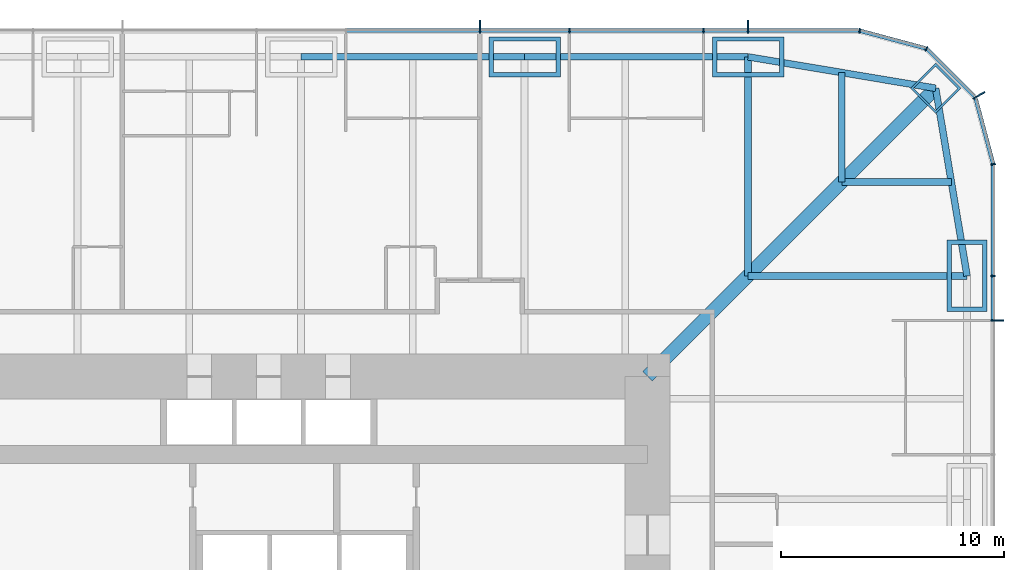
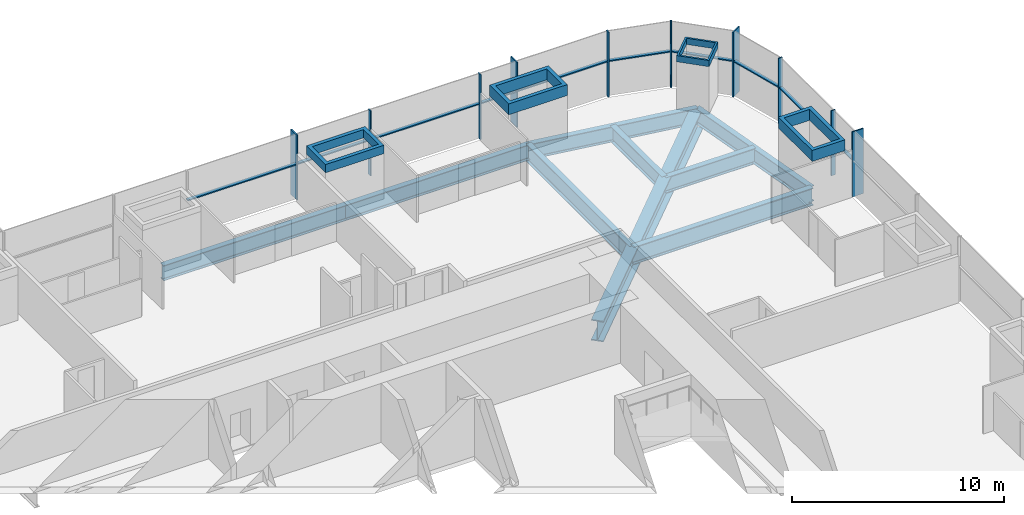
# One storey, part 9 of 17: 24 members, 9 beams, 3 elements without a shape of their own.
"""IFC4 building model written with IfcOpenShell, lengths in metres."""

from ifc_helpers import new_model, si_unit, direction, frame, origin, origin_2d, place, context, subcontext, project, spatial, rectangle, hollow_rectangle, i_section, extrude, material, material_profile, profile_set, type_object, element, aggregate, save


model = new_model("IFC4")

# Units and contexts
model_context = context("Model", 3, precision=1e-05, world=origin(), true_north=direction((0.0, 1.0)))
body_context = subcontext(model_context, "Body", "Model", "MODEL_VIEW")
ifc_project = project(units=[si_unit("LENGTHUNIT", "METRE"), si_unit("AREAUNIT", "SQUARE_METRE"), si_unit("VOLUMEUNIT", "CUBIC_METRE"), si_unit("PLANEANGLEUNIT", "RADIAN"), si_unit("MASSUNIT", "GRAM", prefix="KILO")], contexts=[model_context])

# Site, building, storey
site_placement = place(None, origin())
site = spatial("IfcSite", under=ifc_project, at=site_placement, CompositionType="ELEMENT")
building_placement = place(site_placement, origin())
building = spatial("IfcBuilding", under=site, at=building_placement, Name="Khuree Lantern Residences", CompositionType="ELEMENT")
storey_placement = place(building_placement, frame((0.0, 0.0, 96.0)))
storey = spatial("IfcBuildingStorey", under=building, at=storey_placement, Name="L24", CompositionType="ELEMENT", Elevation=96.0)

# Beams
ifc_material_1 = material(Name="Steel S355", Category="steel")
ifc_material_profile_1 = material_profile(ifc_material_1, i_section(OverallWidth=0.300048828125, OverallDepth=0.89990234375, WebThickness=0.0185546875, FlangeThickness=0.034912109375, FilletRadius=0.030029296875, at=origin_2d()), Name="HE 900 B")
ifc_profile_set_1 = profile_set([ifc_material_profile_1], Name="Steel S355")
beam_type_1 = type_object("IfcBeamType", Name="B-15A SECONDARY BEAM HE 900 B", PredefinedType="BEAM", material=ifc_profile_set_1)
for number, where, z_axis, x_axis, name in (
    (1, (24.197021484375, 29.09716796875, -0.699951171875), (0.0, -1.0, 0.0), (1.0, 0.0, 0.0), "Secondary beam N5"),
    (2, (29.09716796875, 24.197021484375, -0.699951171875), (-1.0, 0.0, 0.0), (0.0, -1.0, 0.0), "Secondary beam E1"),
):
    element("IfcBeam", number, at=place(storey_placement, frame(where, z_axis=z_axis, x_axis=x_axis)), inside=storey, type_object=beam_type_1, Name=name, PredefinedType="BEAM", context=body_context, shape_type="SweptSolid", body=[
        extrude(i_section(OverallWidth=0.300048828125, OverallDepth=0.89990234375, WebThickness=0.0185546875, FlangeThickness=0.034912109375, FilletRadius=0.030029296875, at=origin_2d()), origin(), (0.0, 0.0, 1.0), 4.900146484375),
    ])
ifc_material_profile_2 = material_profile(ifc_material_1, i_section(OverallWidth=0.300048828125, OverallDepth=0.889892578125, WebThickness=0.01611328125, FlangeThickness=0.030029296875, FilletRadius=0.030029296875, at=origin_2d()), Name="HE 900 A")
ifc_profile_set_2 = profile_set([ifc_material_profile_2], Name="Steel S355")
beam_type_2 = type_object("IfcBeamType", Name="E-15A SPANDREL BEAM HE 900 A", PredefinedType="SPANDREL", material=ifc_profile_set_2)
for number, where, z_axis, x_axis, name in (
    (3, (0.0, 29.800048828125, -0.695068359375), (1.0, 0.0, 0.0), (0.0, 1.0, 0.0), "Spandrel beam N3"),
    (4, (10.0, 29.800048828125, -0.695068359375), (1.0, 0.0, 0.0), (0.0, 1.0, 0.0), "Spandrel beam N4"),
):
    element("IfcBeam", number, at=place(storey_placement, frame(where, z_axis=z_axis, x_axis=x_axis)), inside=storey, type_object=beam_type_2, Name=name, PredefinedType="SPANDREL", context=body_context, shape_type="SweptSolid", body=[
        extrude(i_section(OverallWidth=0.300048828125, OverallDepth=0.889892578125, WebThickness=0.01611328125, FlangeThickness=0.030029296875, FilletRadius=0.030029296875, at=origin_2d()), origin(), (0.0, 0.0, 1.0), 10.0),
    ])
for number, where, z_axis, x_axis, name in (
    (5, (20.0, 29.800048828125, -0.695068359375), (0.986260251158, -0.165199022349, 0.0), (0.165199022349, 0.986260251158, 0.0), "Spandrel beam N5"),
    (6, (28.39404296875, 28.39404296875, -0.695068359375), (0.165199022349, -0.986260251158, 0.0), (0.986260251158, 0.165199022349, 0.0), "Spandrel beam E1"),
):
    element("IfcBeam", number, at=place(storey_placement, frame(where, z_axis=z_axis, x_axis=x_axis)), inside=storey, type_object=beam_type_2, Name=name, PredefinedType="SPANDREL", context=body_context, shape_type="SweptSolid", body=[
        extrude(i_section(OverallWidth=0.300048828125, OverallDepth=0.889892578125, WebThickness=0.01611328125, FlangeThickness=0.030029296875, FilletRadius=0.030029296875, at=origin_2d()), origin(), (0.0, 0.0, 1.0), 8.510986328125),
    ])

# Curtain wall, member
ifc_material_2 = material(Name="Bronze anodised aluminium", Category="aluminium")
curtain_wall_type_1 = type_object("IfcCurtainWallType", Name="CW-T1 TOWER FACE CURTAIN WALL", PredefinedType="USERDEFINED", material=ifc_material_2)
curtain_wall_1_placement = place(storey_placement, origin())
curtain_wall_1 = element("IfcCurtainWall", 7, at=curtain_wall_1_placement, inside=storey, type_object=curtain_wall_type_1, Name="L24 EAST FACE CURTAIN WALL", ObjectType="Stick-built curtain wall", PredefinedType="USERDEFINED")
ifc_material_profile_3 = material_profile(ifc_material_2, rectangle(XDim=0.06494140625, YDim=0.60009765625, at=origin_2d()), Name="F1 65X600")
ifc_profile_set_3 = profile_set([ifc_material_profile_3], Name="Bronze anodised aluminium")
member_type_1 = type_object("IfcMemberType", Name="F1 BRONZE FIN MULLION TOWER 65X600", PredefinedType="MULLION", material=ifc_profile_set_3)
member_1_placement = place(storey_placement, frame((31.14990234375, 18.0, 0.0), z_axis=(0.0, 0.0, 1.0), x_axis=(0.0, 1.0, 0.0)))
member_1 = element("IfcMember", 8, at=member_1_placement, type_object=member_type_1, Name="L24 EAST FACE FIN MULLION 13", PredefinedType="MULLION", context=body_context, shape_type="SweptSolid", body=[
    extrude(rectangle(XDim=0.06494140625, YDim=0.60009765625, at=origin_2d()), origin(), (0.0, 0.0, 1.0), 3.75),
])

curtain_wall_type_2 = type_object("IfcCurtainWallType", Name="CW-T2 TOWER CORNER CURTAIN WALL", PredefinedType="USERDEFINED", material=ifc_material_2)
curtain_wall_2_placement = place(storey_placement, origin())
curtain_wall_2 = element("IfcCurtainWall", 9, at=curtain_wall_2_placement, inside=storey, type_object=curtain_wall_type_2, Name="L24 NORTH-EAST CORNER CURTAIN WALL", ObjectType="Faceted corner curtain wall", PredefinedType="USERDEFINED")
member_2_placement = place(storey_placement, frame((30.326171875, 28.074951171875, 0.0), z_axis=(0.0, 0.0, 1.0), x_axis=(-0.500000056923, 0.86602537092, 0.0)))
member_2 = element("IfcMember", 10, at=member_2_placement, type_object=member_type_1, Name="L24 NORTH-EAST CORNER FIN MULLION 16", PredefinedType="MULLION", context=body_context, shape_type="SweptSolid", body=[
    extrude(rectangle(XDim=0.06494140625, YDim=0.60009765625, at=origin_2d()), origin(), (0.0, 0.0, 1.0), 3.75),
])

# Curtain wall, members
curtain_wall_3_placement = place(storey_placement, origin())
curtain_wall_3 = element("IfcCurtainWall", 11, at=curtain_wall_3_placement, inside=storey, type_object=curtain_wall_type_1, Name="L24 NORTH FACE CURTAIN WALL", ObjectType="Stick-built curtain wall", PredefinedType="USERDEFINED")
member_3_placement = place(storey_placement, frame((20.0, 31.14990234375, 0.0), z_axis=(0.0, 0.0, 1.0), x_axis=(-1.0, 0.0, 0.0)))
member_3 = element("IfcMember", 12, at=member_3_placement, type_object=member_type_1, Name="L24 NORTH FACE FIN MULLION 19", PredefinedType="MULLION", context=body_context, shape_type="SweptSolid", body=[
    extrude(rectangle(XDim=0.06494140625, YDim=0.60009765625, at=origin_2d()), origin(), (0.0, 0.0, 1.0), 3.75),
])
member_4_placement = place(storey_placement, frame((8.0, 31.14990234375, 0.0), z_axis=(0.0, 0.0, 1.0), x_axis=(-1.0, 0.0, 0.0)))
member_4 = element("IfcMember", 13, at=member_4_placement, type_object=member_type_1, Name="L24 NORTH FACE FIN MULLION 22", PredefinedType="MULLION", context=body_context, shape_type="SweptSolid", body=[
    extrude(rectangle(XDim=0.06494140625, YDim=0.60009765625, at=origin_2d()), origin(), (0.0, 0.0, 1.0), 3.75),
])

# Beams
ifc_material_profile_4 = material_profile(ifc_material_1, i_section(OverallWidth=0.302001953125, OverallDepth=1.008056640625, WebThickness=0.02099609375, FlangeThickness=0.0400390625, FilletRadius=0.030029296875, at=origin_2d()), Name="HE 1000 M")
ifc_profile_set_4 = profile_set([ifc_material_profile_4], Name="Steel S355")
beam_type_3 = type_object("IfcBeamType", Name="G-15 GIRDER HE 1000 M", PredefinedType="BEAM", material=ifc_profile_set_4)
for number, where, z_axis, x_axis, name in (
    (14, (20.0, 29.800048828125, -0.75390625), (0.0, -1.0, 0.0), (1.0, 0.0, 0.0), "Girder N5"),
    (15, (29.800048828125, 20.0, -0.75390625), (-1.0, 0.0, 0.0), (0.0, -1.0, 0.0), "Girder E1"),
):
    element("IfcBeam", number, at=place(storey_placement, frame(where, z_axis=z_axis, x_axis=x_axis)), inside=storey, type_object=beam_type_3, Name=name, PredefinedType="BEAM", context=body_context, shape_type="SweptSolid", body=[
        extrude(i_section(OverallWidth=0.302001953125, OverallDepth=1.008056640625, WebThickness=0.02099609375, FlangeThickness=0.0400390625, FilletRadius=0.030029296875, at=origin_2d()), origin(), (0.0, 0.0, 1.0), 9.800048828125),
    ])
ifc_material_profile_5 = material_profile(ifc_material_1, i_section(OverallWidth=0.60009765625, OverallDepth=1.199951171875, WebThickness=0.030029296875, FlangeThickness=0.06005859375, at=origin_2d()), Name="WELDED I 1200X600X30X60")
ifc_profile_set_5 = profile_set([ifc_material_profile_5], Name="Steel S355")
beam_type_4 = type_object("IfcBeamType", Name="GD-15 CORNER GIRDER WELDED I 1200X600X30X60", PredefinedType="BEAM", material=ifc_profile_set_5)
beam_placement = place(storey_placement, frame((28.39404296875, 28.39404296875, -0.85009765625), z_axis=(-0.707106781187, -0.707106781187, 0.0), x_axis=(0.707106781187, -0.707106781187, 0.0)))
element("IfcBeam", 16, at=beam_placement, inside=storey, type_object=beam_type_4, Name="Corner girder NE", PredefinedType="BEAM", context=body_context, shape_type="SweptSolid", body=[
    extrude(i_section(OverallWidth=0.60009765625, OverallDepth=1.199951171875, WebThickness=0.030029296875, FlangeThickness=0.06005859375, at=origin_2d()), origin(), (0.0, 0.0, 1.0), 18.23486328125),
])

# Member
ifc_material_profile_6 = material_profile(ifc_material_2, rectangle(XDim=0.06494140625, YDim=0.219970703125, at=origin_2d()), Name="M1 65X220")
ifc_profile_set_6 = profile_set([ifc_material_profile_6], Name="Bronze anodised aluminium")
member_type_2 = type_object("IfcMemberType", Name="M1 BRONZE MULLION TOWER 65X220", PredefinedType="MULLION", material=ifc_profile_set_6)
member_5_placement = place(storey_placement, frame((30.9599609375, 20.0, 0.0), z_axis=(0.0, 0.0, 1.0), x_axis=(0.0, 1.0, 0.0)))
member_5 = element("IfcMember", 17, at=member_5_placement, type_object=member_type_2, Name="L24 EAST FACE MULLION 14", PredefinedType="MULLION", context=body_context, shape_type="SweptSolid", body=[
    extrude(rectangle(XDim=0.06494140625, YDim=0.219970703125, at=origin_2d()), origin(), (0.0, 0.0, 1.0), 3.75),
])

member_6_placement = place(storey_placement, frame((30.961669921875, 24.994873046875, 0.0), z_axis=(0.0, 0.0, 1.0), x_axis=(-0.130526257387, 0.991444852794, 0.0)))
member_6 = element("IfcMember", 18, at=member_6_placement, type_object=member_type_2, Name="L24 NORTH-EAST CORNER MULLION 15", PredefinedType="MULLION", context=body_context, shape_type="SweptSolid", body=[
    extrude(rectangle(XDim=0.06494140625, YDim=0.219970703125, at=origin_2d()), origin(), (0.0, 0.0, 1.0), 3.75),
])

member_7_placement = place(storey_placement, frame((27.97998046875, 30.16162109375, 0.0), z_axis=(0.0, 0.0, 1.0), x_axis=(-0.86602537092, 0.500000056923, 0.0)))
member_7 = element("IfcMember", 19, at=member_7_placement, type_object=member_type_2, Name="L24 NORTH-EAST CORNER MULLION 17", PredefinedType="MULLION", context=body_context, shape_type="SweptSolid", body=[
    extrude(rectangle(XDim=0.06494140625, YDim=0.219970703125, at=origin_2d()), origin(), (0.0, 0.0, 1.0), 3.75),
])

member_8_placement = place(storey_placement, frame((24.994873046875, 30.961669921875, 0.0), z_axis=(0.0, 0.0, 1.0), x_axis=(-0.991444852794, 0.130526257387, 0.0)))
member_8 = element("IfcMember", 20, at=member_8_placement, type_object=member_type_2, Name="L24 NORTH FACE MULLION 18", PredefinedType="MULLION", context=body_context, shape_type="SweptSolid", body=[
    extrude(rectangle(XDim=0.06494140625, YDim=0.219970703125, at=origin_2d()), origin(), (0.0, 0.0, 1.0), 3.75),
])

member_9_placement = place(storey_placement, frame((18.0, 30.9599609375, 0.0), z_axis=(0.0, 0.0, 1.0), x_axis=(-1.0, 0.0, 0.0)))
member_9 = element("IfcMember", 21, at=member_9_placement, type_object=member_type_2, Name="L24 NORTH FACE MULLION 20", PredefinedType="MULLION", context=body_context, shape_type="SweptSolid", body=[
    extrude(rectangle(XDim=0.06494140625, YDim=0.219970703125, at=origin_2d()), origin(), (0.0, 0.0, 1.0), 3.75),
])

member_10_placement = place(storey_placement, frame((12.0, 30.9599609375, 0.0), z_axis=(0.0, 0.0, 1.0), x_axis=(-1.0, 0.0, 0.0)))
member_10 = element("IfcMember", 22, at=member_10_placement, type_object=member_type_2, Name="L24 NORTH FACE MULLION 21", PredefinedType="MULLION", context=body_context, shape_type="SweptSolid", body=[
    extrude(rectangle(XDim=0.06494140625, YDim=0.219970703125, at=origin_2d()), origin(), (0.0, 0.0, 1.0), 3.75),
])

# Members
ifc_material_3 = material(Name="Steel S355 CFT welded box", Category="steel")
ifc_material_profile_7 = material_profile(ifc_material_3, hollow_rectangle(XDim=3.199951171875, YDim=1.800048828125, WallThickness=0.199951171875, at=origin_2d()), Name="WELDED BOX 3200X1800X200")
ifc_profile_set_7 = profile_set([ifc_material_profile_7], Name="Steel S355 CFT welded box")
member_type_3 = type_object("IfcMemberType", Name="MN MEGA COLUMN NODE WELDED BOX 3200X1800X200", PredefinedType="MEMBER", material=ifc_profile_set_7)
member_11_placement = place(storey_placement, frame((10.0, 29.800048828125, 2.6201171875), z_axis=(0.0, 0.0, 1.0), x_axis=(1.0, 0.0, 0.0)))
element("IfcMember", 23, at=member_11_placement, inside=storey, type_object=member_type_3, Name="Mega column node N4", PredefinedType="MEMBER", context=body_context, shape_type="SweptSolid", body=[
    extrude(hollow_rectangle(XDim=3.199951171875, YDim=1.800048828125, WallThickness=0.199951171875, at=origin_2d()), origin(), (0.0, 0.0, 1.0), 0.47998046875),
])
for number, where, z_axis, x_axis, name in (
    (24, (20.0, 29.800048828125, 2.469970703125), (0.0, 0.0, 1.0), (1.0, 0.0, 0.0), "Mega column node N5"),
    (25, (29.800048828125, 20.0, 2.469970703125), (0.0, 0.0, 1.0), (0.0, 1.0, 0.0), "Mega column node E1"),
):
    element("IfcMember", number, at=place(storey_placement, frame(where, z_axis=z_axis, x_axis=x_axis)), inside=storey, type_object=member_type_3, Name=name, PredefinedType="MEMBER", context=body_context, shape_type="SweptSolid", body=[
        extrude(hollow_rectangle(XDim=3.199951171875, YDim=1.800048828125, WallThickness=0.199951171875, at=origin_2d()), origin(), (0.0, 0.0, 1.0), 0.630126953125),
    ])
ifc_material_profile_8 = material_profile(ifc_material_3, hollow_rectangle(XDim=1.60009765625, YDim=1.60009765625, WallThickness=0.10009765625, at=origin_2d()), Name="WELDED BOX 1600X1600X100")
ifc_profile_set_8 = profile_set([ifc_material_profile_8], Name="Steel S355 CFT welded box")
member_type_4 = type_object("IfcMemberType", Name="MNA MEGA COLUMN NODE WELDED BOX 1600X1600X100", PredefinedType="MEMBER", material=ifc_profile_set_8)
member_12_placement = place(storey_placement, frame((28.39404296875, 28.39404296875, 2.739990234375), z_axis=(0.0, 0.0, 1.0), x_axis=(0.707106781187, -0.707106781187, 0.0)))
element("IfcMember", 26, at=member_12_placement, inside=storey, type_object=member_type_4, Name="Mega column node NE", PredefinedType="MEMBER", context=body_context, shape_type="SweptSolid", body=[
    extrude(hollow_rectangle(XDim=1.60009765625, YDim=1.60009765625, WallThickness=0.10009765625, at=origin_2d()), origin(), (0.0, 0.0, 1.0), 0.360107421875),
])

# Member
ifc_material_profile_9 = material_profile(ifc_material_2, rectangle(XDim=0.179931640625, YDim=0.06494140625, at=origin_2d()), Name="T1 180X65")
ifc_profile_set_9 = profile_set([ifc_material_profile_9], Name="Bronze anodised aluminium")
member_type_5 = type_object("IfcMemberType", Name="TRANSOM T1 TOWER 180X65", PredefinedType="USERDEFINED", material=ifc_profile_set_9)
member_13_placement = place(storey_placement, frame((30.969970703125, 18.032470703125, 2.050048828125), z_axis=(0.0, 1.0, 0.0), x_axis=(-1.0, 0.0, 0.0)))
member_13 = element("IfcMember", 27, at=member_13_placement, type_object=member_type_5, Name="L24 EAST FACE TRANSOM 13.1", ObjectType="Transom", PredefinedType="USERDEFINED", context=body_context, shape_type="SweptSolid", body=[
    extrude(rectangle(XDim=0.179931640625, YDim=0.06494140625, at=origin_2d()), origin(), (0.0, 0.0, 1.0), 1.93505859375),
])

member_14_placement = place(storey_placement, frame((30.969970703125, 20.032470703125, 2.050048828125), z_axis=(0.0, 1.0, 0.0), x_axis=(-1.0, 0.0, 0.0)))
member_14 = element("IfcMember", 28, at=member_14_placement, type_object=member_type_5, Name="L24 EAST FACE TRANSOM 14.1", ObjectType="Transom", PredefinedType="USERDEFINED", context=body_context, shape_type="SweptSolid", body=[
    extrude(rectangle(XDim=0.179931640625, YDim=0.06494140625, at=origin_2d()), origin(), (0.0, 0.0, 1.0), 4.9189453125),
])

aggregate(curtain_wall_1, [member_1, member_5, member_13, member_14])

member_15_placement = place(storey_placement, frame((30.95849609375, 25.0390625, 2.050048828125), z_axis=(-0.258785036271, 0.965934938286, 0.0), x_axis=(-0.965934938286, -0.258785036271, 0.0)))
member_15 = element("IfcMember", 29, at=member_15_placement, type_object=member_type_5, Name="L24 NORTH-EAST CORNER TRANSOM 15.1", ObjectType="Transom", PredefinedType="USERDEFINED", context=body_context, shape_type="SweptSolid", body=[
    extrude(rectangle(XDim=0.179931640625, YDim=0.06494140625, at=origin_2d()), origin(), (0.0, 0.0, 1.0), 2.991455078125),
])

member_16_placement = place(storey_placement, frame((30.12841796875, 28.025390625, 2.050048828125), z_axis=(-0.707106781187, 0.707106781187, 0.0), x_axis=(-0.707106781187, -0.707106781187, 0.0)))
member_16 = element("IfcMember", 30, at=member_16_placement, type_object=member_type_5, Name="L24 NORTH-EAST CORNER TRANSOM 16.1", ObjectType="Transom", PredefinedType="USERDEFINED", context=body_context, shape_type="SweptSolid", body=[
    extrude(rectangle(XDim=0.179931640625, YDim=0.06494140625, at=origin_2d()), origin(), (0.0, 0.0, 1.0), 2.97412109375),
])

member_17_placement = place(storey_placement, frame((27.9287109375, 30.184326171875, 2.050048828125), z_axis=(-0.965934938286, 0.258785036271, 0.0), x_axis=(-0.258785036271, -0.965934938286, 0.0)))
member_17 = element("IfcMember", 31, at=member_17_placement, type_object=member_type_5, Name="L24 NORTH-EAST CORNER TRANSOM 17.1", ObjectType="Transom", PredefinedType="USERDEFINED", context=body_context, shape_type="SweptSolid", body=[
    extrude(rectangle(XDim=0.179931640625, YDim=0.06494140625, at=origin_2d()), origin(), (0.0, 0.0, 1.0), 2.991455078125),
])

aggregate(curtain_wall_2, [member_6, member_2, member_7, member_15, member_16, member_17])

member_18_placement = place(storey_placement, frame((24.951416015625, 30.969970703125, 2.050048828125), z_axis=(-1.0, 0.0, 0.0), x_axis=(0.0, -1.0, 0.0)))
member_18 = element("IfcMember", 32, at=member_18_placement, type_object=member_type_5, Name="L24 NORTH FACE TRANSOM 18.1", ObjectType="Transom", PredefinedType="USERDEFINED", context=body_context, shape_type="SweptSolid", body=[
    extrude(rectangle(XDim=0.179931640625, YDim=0.06494140625, at=origin_2d()), origin(), (0.0, 0.0, 1.0), 4.9189453125),
])

member_19_placement = place(storey_placement, frame((19.967529296875, 30.969970703125, 2.050048828125), z_axis=(-1.0, 0.0, 0.0), x_axis=(0.0, -1.0, 0.0)))
member_19 = element("IfcMember", 33, at=member_19_placement, type_object=member_type_5, Name="L24 NORTH FACE TRANSOM 19.1", ObjectType="Transom", PredefinedType="USERDEFINED", context=body_context, shape_type="SweptSolid", body=[
    extrude(rectangle(XDim=0.179931640625, YDim=0.06494140625, at=origin_2d()), origin(), (0.0, 0.0, 1.0), 1.93505859375),
])

member_20_placement = place(storey_placement, frame((17.967529296875, 30.969970703125, 2.050048828125), z_axis=(-1.0, 0.0, 0.0), x_axis=(0.0, -1.0, 0.0)))
member_20 = element("IfcMember", 34, at=member_20_placement, type_object=member_type_5, Name="L24 NORTH FACE TRANSOM 20.1", ObjectType="Transom", PredefinedType="USERDEFINED", context=body_context, shape_type="SweptSolid", body=[
    extrude(rectangle(XDim=0.179931640625, YDim=0.06494140625, at=origin_2d()), origin(), (0.0, 0.0, 1.0), 5.93505859375),
])

member_21_placement = place(storey_placement, frame((11.967529296875, 30.969970703125, 2.050048828125), z_axis=(-1.0, 0.0, 0.0), x_axis=(0.0, -1.0, 0.0)))
member_21 = element("IfcMember", 35, at=member_21_placement, type_object=member_type_5, Name="L24 NORTH FACE TRANSOM 21.1", ObjectType="Transom", PredefinedType="USERDEFINED", context=body_context, shape_type="SweptSolid", body=[
    extrude(rectangle(XDim=0.179931640625, YDim=0.06494140625, at=origin_2d()), origin(), (0.0, 0.0, 1.0), 3.93505859375),
])

member_22_placement = place(storey_placement, frame((7.967529296875, 30.969970703125, 2.050048828125), z_axis=(-1.0, 0.0, 0.0), x_axis=(0.0, -1.0, 0.0)))
member_22 = element("IfcMember", 36, at=member_22_placement, type_object=member_type_5, Name="L24 NORTH FACE TRANSOM 22.1", ObjectType="Transom", PredefinedType="USERDEFINED", context=body_context, shape_type="SweptSolid", body=[
    extrude(rectangle(XDim=0.179931640625, YDim=0.06494140625, at=origin_2d()), origin(), (0.0, 0.0, 1.0), 5.93505859375),
])

aggregate(curtain_wall_3, [member_8, member_3, member_9, member_10, member_4, member_18, member_19, member_20, member_21, member_22])

save(model, "model.ifc")
